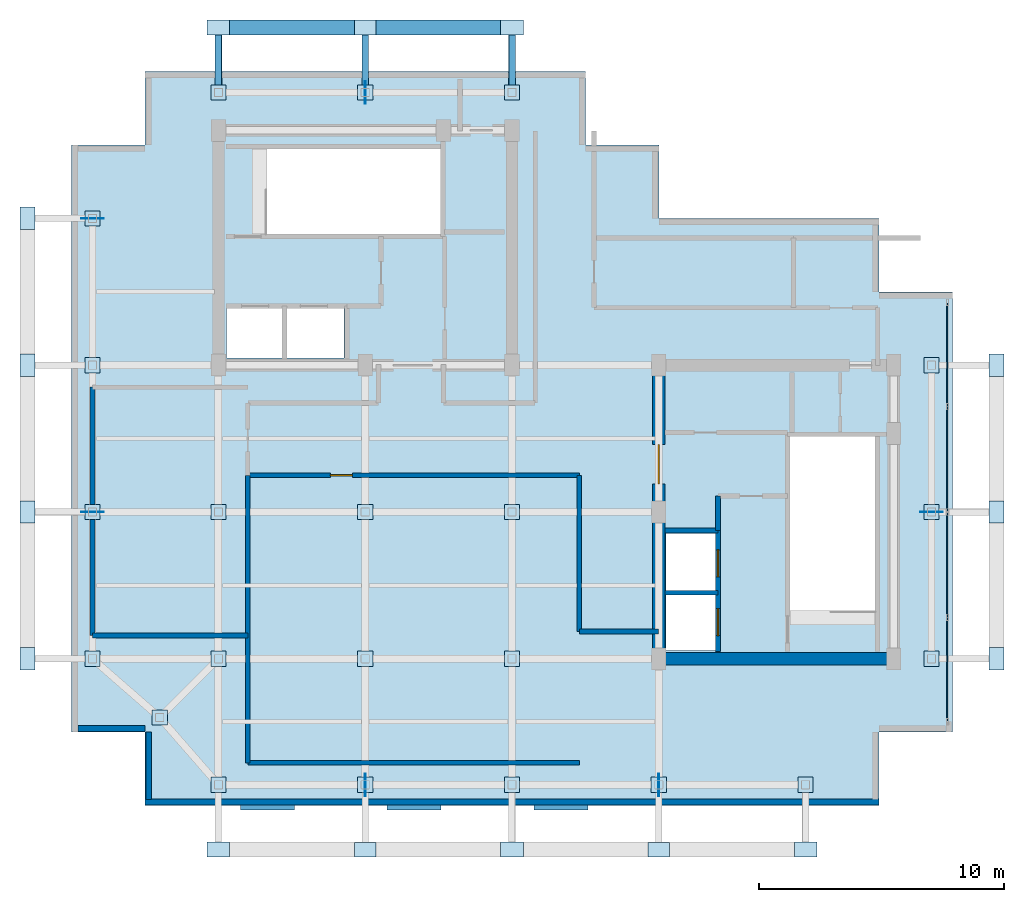
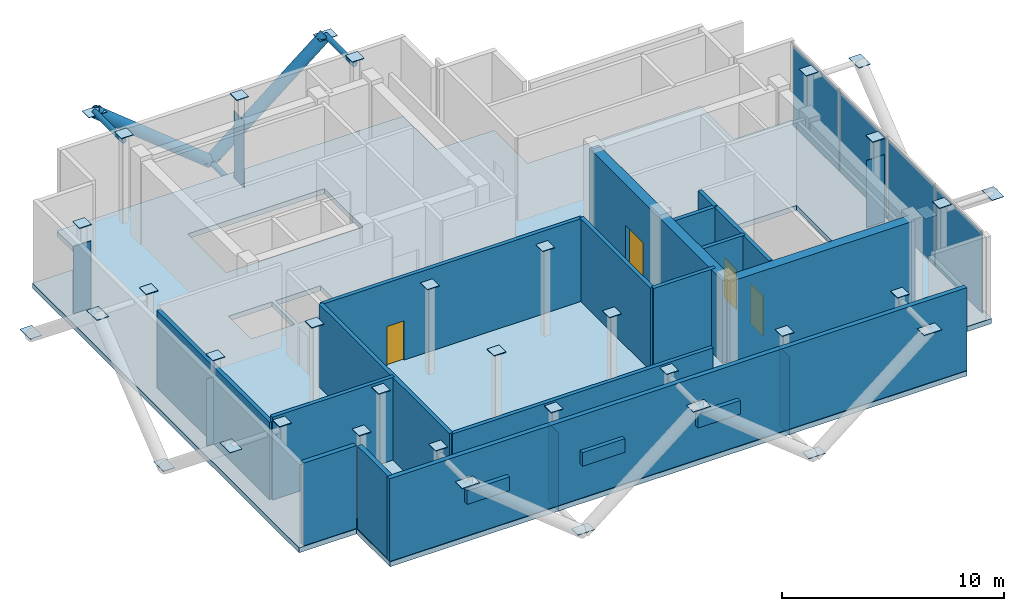
# One storey, part 3 of 6: 50 plates, 16 walls, 5 members, 4 doors, 1 slab, 4 openings, 1 element without a shape of its own.
"""IFC4 building model written with IfcOpenShell, lengths in metres."""

from ifc_helpers import new_model, si_unit, direction, frame, frame_2d, origin, origin_2d, place, context, subcontext, project, spatial, polyline, rectangle, hollow_circle, outline, extrude, material, layer, layer_set, material_profile, profile_set, type_object, element, fill, aggregate, save


model = new_model("IFC4")

# Units and contexts
model_context = context("Model", 3, precision=1e-05, world=origin(), true_north=direction((0.0, 1.0)))
body_context = subcontext(model_context, "Body", "Model", "MODEL_VIEW")
ifc_project = project(units=[si_unit("LENGTHUNIT", "METRE"), si_unit("AREAUNIT", "SQUARE_METRE"), si_unit("VOLUMEUNIT", "CUBIC_METRE"), si_unit("PLANEANGLEUNIT", "RADIAN"), si_unit("MASSUNIT", "GRAM", prefix="KILO"), si_unit("THERMODYNAMICTEMPERATUREUNIT", "KELVIN"), si_unit("POWERUNIT", "WATT")], contexts=[model_context])

# Site, building, storey
site_placement = place(None, origin())
site = spatial("IfcSite", under=ifc_project, at=site_placement, CompositionType="ELEMENT")
building_placement = place(site_placement, origin())
building = spatial("IfcBuilding", under=site, at=building_placement, Name="Svarakhadi Broadcast Tower", CompositionType="ELEMENT")
storey_placement = place(building_placement, frame((0.0, 0.0, 305.699951171875)))
storey = spatial("IfcBuildingStorey", under=building, at=storey_placement, Name="L77", CompositionType="ELEMENT", Elevation=305.699951171875)

# Members
ifc_material_1 = material(Name="Steel S460ML (IS 2062 E450BR)", Category="steel")
ifc_material_profile_1 = material_profile(ifc_material_1, hollow_circle(Radius=0.304931640625, WallThickness=0.030029296875, at=origin_2d()), Name="CHS 610x30")
ifc_profile_set_1 = profile_set([ifc_material_profile_1], Name="Steel S460ML (IS 2062 E450BR)")
member_type_1 = type_object("IfcMemberType", Name="Exo_Brace_CHS610", PredefinedType="BRACE", material=ifc_profile_set_1)
for number, where, z_axis, x_axis, name in (
    (1, (12.0, 31.800048828125, -0.411376953125), (-0.779285489212, 0.0, 0.6266690724), (0.0, -1.0, 0.0), "L77 Exposed Bronze Exoskeleton Diagonal N10"),
    (2, (12.0, 31.800048828125, -0.411376953125), (0.779285489212, 0.0, 0.6266690724), (0.0, 1.0, 0.0), "L77 Exposed Bronze Exoskeleton Diagonal N11"),
):
    element("IfcMember", number, at=place(storey_placement, frame(where, z_axis=z_axis, x_axis=x_axis)), inside=storey, type_object=member_type_1, Name=name, PredefinedType="BRACE", context=body_context, shape_type="SweptSolid", body=[
        extrude(hollow_circle(Radius=0.304931640625, WallThickness=0.030029296875, at=origin_2d()), origin(), (0.0, 0.0, 1.0), 7.699462890625),
    ])
ifc_material_profile_2 = material_profile(ifc_material_1, hollow_circle(Radius=0.136474609375, WallThickness=0.012451171875, at=origin_2d()), Name="CHS 273x12.5")
ifc_profile_set_2 = profile_set([ifc_material_profile_2], Name="Steel S460ML (IS 2062 E450BR)")
member_type_2 = type_object("IfcMemberType", Name="Exo_Radial_Strut_Z3", PredefinedType="STRUT", material=ifc_profile_set_2)
for number, where, z_axis, x_axis, name in (
    (3, (12.0, 31.800048828125, -0.411376953125), (0.0, -1.0, 0.0), (1.0, 0.0, 0.0), "L77 Exoskeleton Radial Tie Strut N06"),
    (4, (6.0, 31.800048828125, 4.41357421875), (0.0, -1.0, 0.0), (1.0, 0.0, 0.0), "L77 Exoskeleton Setback Top Radial Tie N00"),
    (5, (18.0, 31.800048828125, 4.41357421875), (0.0, -1.0, 0.0), (1.0, 0.0, 0.0), "L77 Exoskeleton Setback Top Radial Tie N02"),
):
    element("IfcMember", number, at=place(storey_placement, frame(where, z_axis=z_axis, x_axis=x_axis)), inside=storey, type_object=member_type_2, Name=name, PredefinedType="STRUT", context=body_context, shape_type="SweptSolid", body=[
        extrude(hollow_circle(Radius=0.136474609375, WallThickness=0.012451171875, at=origin_2d()), origin(), (0.0, 0.0, 1.0), 2.650146484375),
    ])

# Curtain wall, plates
ifc_material_2 = material(Name="Anodised Bronze Aluminium AA 6063-T6", Category="aluminium")
ifc_layer_1 = layer(ifc_material_2, 0.260009765625)
ifc_layer_set_1 = layer_set([ifc_layer_1], Name="Anodised Bronze Aluminium AA 6063-T6")
curtain_wall_type = type_object("IfcCurtainWallType", Name="CW_Sys_07", PredefinedType="NOTDEFINED", material=ifc_layer_set_1)
curtain_wall_placement = place(storey_placement, origin())
curtain_wall = element("IfcCurtainWall", 6, at=curtain_wall_placement, inside=storey, type_object=curtain_wall_type, Name="L77 East Plant Daylighting Curtain Wall CW-07", PredefinedType="NOTDEFINED")
ifc_material_3 = material(Name="Triple Laminated Solar-Control Crown Glass 42 mm", Category="glass")
ifc_layer_2 = layer(ifc_material_3, 0.0419921875)
ifc_layer_set_2 = layer_set([ifc_layer_2], Name="Triple Laminated Solar-Control Crown Glass 42 mm")
plate_type_1 = type_object("IfcPlateType", Name="CW_Sys_07_Pnl", PredefinedType="CURTAIN_PANEL", material=ifc_layer_set_2)
plate_1_placement = place(storey_placement, frame((35.800048828125, 18.43505859375, 0.090087890625), z_axis=(0.0, 0.0, 1.0), x_axis=(0.0, -1.0, 0.0)))
plate_1 = element("IfcPlate", 7, at=plate_1_placement, type_object=plate_type_1, Name="CW-07 panel 1.1", PredefinedType="CURTAIN_PANEL", context=body_context, shape_type="SweptSolid", body=[
    extrude(rectangle(XDim=4.169921875, YDim=0.0419921875, at=origin_2d()), origin(), (0.0, 0.0, 1.0), 4.3701171875),
])
plate_2_placement = place(storey_placement, frame((35.800048828125, 14.152587890625, 0.090087890625), z_axis=(0.0, 0.0, 1.0), x_axis=(0.0, -1.0, 0.0)))
plate_2 = element("IfcPlate", 8, at=plate_2_placement, type_object=plate_type_1, Name="CW-07 panel 2.1", PredefinedType="CURTAIN_PANEL", context=body_context, shape_type="SweptSolid", body=[
    extrude(rectangle(XDim=4.215087890625, YDim=0.0419921875, at=origin_2d()), origin(), (0.0, 0.0, 1.0), 4.3701171875),
])
plate_3_placement = place(storey_placement, frame((35.800048828125, 9.847412109375, 0.090087890625), z_axis=(0.0, 0.0, 1.0), x_axis=(0.0, -1.0, 0.0)))
plate_3 = element("IfcPlate", 9, at=plate_3_placement, type_object=plate_type_1, Name="CW-07 panel 3.1", PredefinedType="CURTAIN_PANEL", context=body_context, shape_type="SweptSolid", body=[
    extrude(rectangle(XDim=4.215087890625, YDim=0.0419921875, at=origin_2d()), origin(), (0.0, 0.0, 1.0), 4.3701171875),
])
plate_4_placement = place(storey_placement, frame((35.800048828125, 5.56494140625, 0.090087890625), z_axis=(0.0, 0.0, 1.0), x_axis=(0.0, -1.0, 0.0)))
plate_4 = element("IfcPlate", 10, at=plate_4_placement, type_object=plate_type_1, Name="CW-07 panel 4.1", PredefinedType="CURTAIN_PANEL", context=body_context, shape_type="SweptSolid", body=[
    extrude(rectangle(XDim=4.169921875, YDim=0.0419921875, at=origin_2d()), origin(), (0.0, 0.0, 1.0), 4.3701171875),
])
aggregate(curtain_wall, [plate_1, plate_2, plate_3, plate_4])

# Plates
ifc_layer_3 = layer(ifc_material_1, 0.031982421875)
ifc_layer_set_3 = layer_set([ifc_layer_3], Name="Steel S460ML (IS 2062 E450BR)")
plate_type_2 = type_object("IfcPlateType", Name="Cap_Plate_CP01", PredefinedType="USERDEFINED", material=ifc_layer_set_3)
for number, where, z_axis, x_axis, name in (
    (11, (3.60009765625, 3.60009765625, 4.794921875), (0.0, 0.0, 1.0), (1.0, 0.0, 0.0), "L77 Hollow Column Top Cap Plate G01"),
    (12, (0.85009765625, 6.0, 4.794921875), (0.0, 0.0, 1.0), (1.0, 0.0, 0.0), "L77 Hollow Column Top Cap Plate G03"),
    (13, (0.85009765625, 12.0, 4.794921875), (0.0, 0.0, 1.0), (1.0, 0.0, 0.0), "L77 Hollow Column Top Cap Plate G04"),
    (14, (0.85009765625, 18.0, 4.794921875), (0.0, 0.0, 1.0), (1.0, 0.0, 0.0), "L77 Hollow Column Top Cap Plate G05"),
    (15, (0.85009765625, 24.0, 4.794921875), (0.0, 0.0, 1.0), (1.0, 0.0, 0.0), "L77 Hollow Column Top Cap Plate G06"),
    (16, (6.0, 0.85009765625, 4.794921875), (0.0, 0.0, 1.0), (1.0, 0.0, 0.0), "L77 Hollow Column Top Cap Plate G11"),
    (17, (6.0, 6.0, 4.794921875), (0.0, 0.0, 1.0), (1.0, 0.0, 0.0), "L77 Hollow Column Top Cap Plate G12"),
    (18, (6.0, 12.0, 4.794921875), (0.0, 0.0, 1.0), (1.0, 0.0, 0.0), "L77 Hollow Column Top Cap Plate G13"),
    (19, (6.0, 29.14990234375, 4.794921875), (0.0, 0.0, 1.0), (1.0, 0.0, 0.0), "L77 Hollow Column Top Cap Plate G14"),
    (20, (12.0, 0.85009765625, 4.794921875), (0.0, 0.0, 1.0), (1.0, 0.0, 0.0), "L77 Hollow Column Top Cap Plate G18"),
    (21, (12.0, 6.0, 4.794921875), (0.0, 0.0, 1.0), (1.0, 0.0, 0.0), "L77 Hollow Column Top Cap Plate G19"),
    (22, (12.0, 12.0, 4.794921875), (0.0, 0.0, 1.0), (1.0, 0.0, 0.0), "L77 Hollow Column Top Cap Plate G20"),
    (23, (12.0, 29.14990234375, 4.794921875), (0.0, 0.0, 1.0), (1.0, 0.0, 0.0), "L77 Hollow Column Top Cap Plate G21"),
    (24, (18.0, 0.85009765625, 4.794921875), (0.0, 0.0, 1.0), (1.0, 0.0, 0.0), "L77 Hollow Column Top Cap Plate G25"),
    (25, (18.0, 6.0, 4.794921875), (0.0, 0.0, 1.0), (1.0, 0.0, 0.0), "L77 Hollow Column Top Cap Plate G26"),
    (26, (18.0, 12.0, 4.794921875), (0.0, 0.0, 1.0), (1.0, 0.0, 0.0), "L77 Hollow Column Top Cap Plate G27"),
    (27, (18.0, 29.14990234375, 4.794921875), (0.0, 0.0, 1.0), (1.0, 0.0, 0.0), "L77 Hollow Column Top Cap Plate G28"),
    (28, (24.0, 0.85009765625, 4.794921875), (0.0, 0.0, 1.0), (1.0, 0.0, 0.0), "L77 Hollow Column Top Cap Plate G32"),
    (29, (30.0, 0.85009765625, 4.794921875), (0.0, 0.0, 1.0), (1.0, 0.0, 0.0), "L77 Hollow Column Top Cap Plate G36"),
    (30, (35.14990234375, 6.0, 4.794921875), (0.0, 0.0, 1.0), (1.0, 0.0, 0.0), "L77 Hollow Column Top Cap Plate G39"),
    (31, (35.14990234375, 12.0, 4.794921875), (0.0, 0.0, 1.0), (1.0, 0.0, 0.0), "L77 Hollow Column Top Cap Plate G40"),
    (32, (35.14990234375, 18.0, 4.794921875), (0.0, 0.0, 1.0), (1.0, 0.0, 0.0), "L77 Hollow Column Top Cap Plate G41"),
):
    element("IfcPlate", number, at=place(storey_placement, frame(where, z_axis=z_axis, x_axis=x_axis)), inside=storey, type_object=plate_type_2, Name=name, ObjectType="FLANGE_PLATE", PredefinedType="USERDEFINED", context=body_context, shape_type="SweptSolid", body=[
        extrude(rectangle(XDim=0.6201171875, YDim=0.6201171875, at=origin_2d()), origin(), (0.0, 0.0, 1.0), 0.0400390625),
    ])
ifc_layer_4 = layer(ifc_material_2, 0.75)
ifc_layer_set_4 = layer_set([ifc_layer_4], Name="Anodised Bronze Aluminium AA 6063-T6")
plate_type_3 = type_object("IfcPlateType", Name="Louvre_Bronze_LV02", PredefinedType="USERDEFINED", material=ifc_layer_set_4)
for number, where, z_axis, x_axis, name in (
    (33, (8.0, -0.080078125, 1.900146484375), (0.0, 0.0, 1.0), (1.0, 0.0, 0.0), "L77 Acoustic Monsoon Intake Louvre LV-02-1"),
    (34, (14.0, -0.080078125, 1.900146484375), (0.0, 0.0, 1.0), (1.0, 0.0, 0.0), "L77 Acoustic Monsoon Intake Louvre LV-02-2"),
    (35, (20.0, -0.080078125, 1.900146484375), (0.0, 0.0, 1.0), (1.0, 0.0, 0.0), "L77 Acoustic Monsoon Intake Louvre LV-02-3"),
):
    element("IfcPlate", number, at=place(storey_placement, frame(where, z_axis=z_axis, x_axis=x_axis)), inside=storey, type_object=plate_type_3, Name=name, ObjectType="LOUVRE", PredefinedType="USERDEFINED", context=body_context, shape_type="SweptSolid", body=[
        extrude(rectangle(XDim=2.199951171875, YDim=0.219970703125, at=origin_2d()), origin(), (0.0, 0.0, 1.0), 0.75),
    ])
ifc_layer_5 = layer(ifc_material_1, 0.02490234375)
ifc_layer_set_5 = layer_set([ifc_layer_5], Name="Steel S460ML (IS 2062 E450BR)")
plate_type_4 = type_object("IfcPlateType", Name="Node_Gusset_N05", PredefinedType="SHEET", material=ifc_layer_set_5)
for number, where, z_axis, x_axis, name in (
    (36, (12.0, -1.800048828125, -0.27490234375), (0.0, 0.0, 1.0), (1.0, 0.0, 0.0), "L77 Exoskeleton Gusset Node Plate S01"),
    (37, (24.0, -1.800048828125, -0.27490234375), (0.0, 0.0, 1.0), (1.0, 0.0, 0.0), "L77 Exoskeleton Gusset Node Plate S02"),
    (38, (-1.800048828125, 12.0, -0.27490234375), (0.0, 0.0, 1.0), (0.0, 1.0, 0.0), "L77 Exoskeleton Gusset Node Plate W03"),
    (39, (37.800048828125, 12.0, -0.27490234375), (0.0, 0.0, 1.0), (0.0, 1.0, 0.0), "L77 Exoskeleton Gusset Node Plate E05"),
    (40, (12.0, 31.800048828125, -0.27490234375), (0.0, 0.0, 1.0), (1.0, 0.0, 0.0), "L77 Exoskeleton Gusset Node Plate N06"),
):
    element("IfcPlate", number, at=place(storey_placement, frame(where, z_axis=z_axis, x_axis=x_axis)), inside=storey, type_object=plate_type_4, Name=name, PredefinedType="SHEET", context=body_context, shape_type="SweptSolid", body=[
        extrude(rectangle(XDim=0.8798828125, YDim=0.60009765625, at=origin_2d()), origin(), (0.0, 0.0, 1.0), 0.02490234375),
    ])
ifc_layer_6 = layer(ifc_material_1, 0.02587890625)
ifc_layer_set_6 = layer_set([ifc_layer_6], Name="Steel S460ML (IS 2062 E450BR)")
plate_type_5 = type_object("IfcPlateType", Name="Node_Gusset_N07", PredefinedType="SHEET", material=ifc_layer_set_6)
plate_5_placement = place(storey_placement, frame((-1.800048828125, 24.0, -0.27490234375), z_axis=(0.0, 0.0, 1.0), x_axis=(0.0, 1.0, 0.0)))
element("IfcPlate", 41, at=plate_5_placement, inside=storey, type_object=plate_type_5, Name="L77 Exoskeleton Gusset Node Plate W04", PredefinedType="SHEET", context=body_context, shape_type="SweptSolid", body=[
    extrude(rectangle(XDim=0.919921875, YDim=0.6201171875, at=origin_2d()), origin(), (0.0, 0.0, 1.0), 0.02587890625),
])
for number, where, z_axis, x_axis, name in (
    (42, (12.0, 0.85009765625, -0.611328125), (0.0, 0.0, 1.0), (0.0, 1.0, 0.0), "L77 Brace End Connection Gusset Plate N-07-E0590"),
    (43, (24.0, 0.85009765625, -0.611328125), (0.0, 0.0, 1.0), (0.0, 1.0, 0.0), "L77 Brace End Connection Gusset Plate N-07-E0591"),
):
    element("IfcPlate", number, at=place(storey_placement, frame(where, z_axis=z_axis, x_axis=x_axis)), inside=storey, type_object=plate_type_5, Name=name, PredefinedType="SHEET", context=body_context, shape_type="SweptSolid", body=[
        extrude(rectangle(XDim=0.919921875, YDim=0.02587890625, at=origin_2d()), origin(), (0.0, 0.0, 1.0), 4.300048828125),
    ])
for number, where, z_axis, x_axis, name in (
    (44, (6.0, -1.800048828125, 4.400634765625), (0.0, 0.0, 1.0), (1.0, 0.0, 0.0), "L77 Brace End Connection Gusset Plate N-07-E0592"),
    (45, (18.0, -1.800048828125, 4.400634765625), (0.0, 0.0, 1.0), (1.0, 0.0, 0.0), "L77 Brace End Connection Gusset Plate N-07-E0593"),
    (46, (30.0, -1.800048828125, 4.400634765625), (0.0, 0.0, 1.0), (1.0, 0.0, 0.0), "L77 Brace End Connection Gusset Plate N-07-E0594"),
):
    element("IfcPlate", number, at=place(storey_placement, frame(where, z_axis=z_axis, x_axis=x_axis)), inside=storey, type_object=plate_type_5, Name=name, PredefinedType="SHEET", context=body_context, shape_type="SweptSolid", body=[
        extrude(rectangle(XDim=0.919921875, YDim=0.6201171875, at=origin_2d()), origin(), (0.0, 0.0, 1.0), 0.02587890625),
    ])
for number, where, z_axis, x_axis, name in (
    (47, (0.85009765625, 12.0, -0.611328125), (0.0, 0.0, 1.0), (1.0, 0.0, 0.0), "L77 Brace End Connection Gusset Plate N-07-E0595"),
    (48, (0.85009765625, 24.0, -0.611328125), (0.0, 0.0, 1.0), (1.0, 0.0, 0.0), "L77 Brace End Connection Gusset Plate N-07-E0596"),
):
    element("IfcPlate", number, at=place(storey_placement, frame(where, z_axis=z_axis, x_axis=x_axis)), inside=storey, type_object=plate_type_5, Name=name, PredefinedType="SHEET", context=body_context, shape_type="SweptSolid", body=[
        extrude(rectangle(XDim=0.919921875, YDim=0.02587890625, at=origin_2d()), origin(), (0.0, 0.0, 1.0), 4.300048828125),
    ])
for number, where, z_axis, x_axis, name in (
    (49, (-1.800048828125, 6.0, 4.400634765625), (0.0, 0.0, 1.0), (0.0, 1.0, 0.0), "L77 Brace End Connection Gusset Plate N-07-E0597"),
    (50, (-1.800048828125, 18.0, 4.400634765625), (0.0, 0.0, 1.0), (0.0, 1.0, 0.0), "L77 Brace End Connection Gusset Plate N-07-E0598"),
):
    element("IfcPlate", number, at=place(storey_placement, frame(where, z_axis=z_axis, x_axis=x_axis)), inside=storey, type_object=plate_type_5, Name=name, PredefinedType="SHEET", context=body_context, shape_type="SweptSolid", body=[
        extrude(rectangle(XDim=0.919921875, YDim=0.6201171875, at=origin_2d()), origin(), (0.0, 0.0, 1.0), 0.02587890625),
    ])
plate_6_placement = place(storey_placement, frame((35.14990234375, 12.0, -0.611328125), z_axis=(0.0, 0.0, 1.0), x_axis=(1.0, 0.0, 0.0)))
element("IfcPlate", 51, at=plate_6_placement, inside=storey, type_object=plate_type_5, Name="L77 Brace End Connection Gusset Plate N-07-E0599", PredefinedType="SHEET", context=body_context, shape_type="SweptSolid", body=[
    extrude(rectangle(XDim=0.919921875, YDim=0.02587890625, at=origin_2d()), origin(), (0.0, 0.0, 1.0), 4.300048828125),
])
for number, where, z_axis, x_axis, name in (
    (52, (37.800048828125, 6.0, 4.400634765625), (0.0, 0.0, 1.0), (0.0, 1.0, 0.0), "L77 Brace End Connection Gusset Plate N-07-E0600"),
    (53, (37.800048828125, 18.0, 4.400634765625), (0.0, 0.0, 1.0), (0.0, 1.0, 0.0), "L77 Brace End Connection Gusset Plate N-07-E0601"),
):
    element("IfcPlate", number, at=place(storey_placement, frame(where, z_axis=z_axis, x_axis=x_axis)), inside=storey, type_object=plate_type_5, Name=name, PredefinedType="SHEET", context=body_context, shape_type="SweptSolid", body=[
        extrude(rectangle(XDim=0.919921875, YDim=0.6201171875, at=origin_2d()), origin(), (0.0, 0.0, 1.0), 0.02587890625),
    ])
plate_7_placement = place(storey_placement, frame((12.0, 29.14990234375, -0.611328125), z_axis=(0.0, 0.0, 1.0), x_axis=(0.0, 1.0, 0.0)))
element("IfcPlate", 54, at=plate_7_placement, inside=storey, type_object=plate_type_5, Name="L77 Brace End Connection Gusset Plate N-07-E0602", PredefinedType="SHEET", context=body_context, shape_type="SweptSolid", body=[
    extrude(rectangle(XDim=0.919921875, YDim=0.02587890625, at=origin_2d()), origin(), (0.0, 0.0, 1.0), 4.300048828125),
])
for number, where, z_axis, x_axis, name in (
    (55, (6.0, 31.800048828125, 4.400634765625), (0.0, 0.0, 1.0), (1.0, 0.0, 0.0), "L77 Brace End Connection Gusset Plate N-07-E0603"),
    (56, (18.0, 31.800048828125, 4.400634765625), (0.0, 0.0, 1.0), (1.0, 0.0, 0.0), "L77 Brace End Connection Gusset Plate N-07-E0604"),
):
    element("IfcPlate", number, at=place(storey_placement, frame(where, z_axis=z_axis, x_axis=x_axis)), inside=storey, type_object=plate_type_5, Name=name, PredefinedType="SHEET", context=body_context, shape_type="SweptSolid", body=[
        extrude(rectangle(XDim=0.919921875, YDim=0.6201171875, at=origin_2d()), origin(), (0.0, 0.0, 1.0), 0.02587890625),
    ])

# Slab
ifc_material_4 = material(Name="Concrete C40/50 (IS 456 M50)", Category="concrete")
ifc_layer_7 = layer(ifc_material_4, 0.27490234375)
ifc_layer_set_7 = layer_set([ifc_layer_7], Name="Concrete C40/50 (IS 456 M50)")
slab_type = type_object("IfcSlabType", Name="Slab_Floor_275", PredefinedType="FLOOR", material=ifc_layer_set_7)
slab_placement = place(storey_placement, frame((0.0, 0.0, -0.27490234375)))
element("IfcSlab", 57, at=slab_placement, inside=storey, type_object=slab_type, Name="L77 Structural Floor Slab", PredefinedType="FLOOR", context=body_context, shape_type="SweptSolid", body=[
    extrude(outline(polyline([(3.0, 0.0), (33.0, 0.0), (33.0, 3.0), (36.0, 3.0), (36.0, 21.0), (33.0, 21.0), (33.0, 24.0), (24.0, 24.0), (24.0, 27.0), (21.0, 27.0), (21.0, 30.0), (3.0, 30.0), (3.0, 27.0), (0.0, 27.0), (0.0, 3.0), (3.0, 3.0), (3.0, 0.0)]), holes=[polyline([(7.97998046875, 23.360107421875), (15.080078125, 23.360107421875), (15.080078125, 26.840087890625), (7.97998046875, 26.840087890625), (7.97998046875, 23.360107421875)]), polyline([(32.840087890625, 7.97998046875), (32.840087890625, 15.080078125), (29.360107421875, 15.080078125), (29.360107421875, 7.97998046875), (32.840087890625, 7.97998046875)]), polyline([(6.340087890625, 18.2900390625), (8.610107421875, 18.2900390625), (8.610107421875, 20.330078125), (6.340087890625, 20.330078125), (6.340087890625, 18.2900390625)]), polyline([(8.7900390625, 18.2900390625), (11.1298828125, 18.2900390625), (11.1298828125, 20.330078125), (8.7900390625, 20.330078125), (8.7900390625, 18.2900390625)]), polyline([(24.2900390625, 6.340087890625), (26.330078125, 6.340087890625), (26.330078125, 8.610107421875), (24.2900390625, 8.610107421875), (24.2900390625, 6.340087890625)]), polyline([(24.2900390625, 8.7900390625), (26.330078125, 8.7900390625), (26.330078125, 11.1298828125), (24.2900390625, 11.1298828125), (24.2900390625, 8.7900390625)])]), origin(), (0.0, 0.0, 1.0), 0.27490234375),
])

# Walls
ifc_layer_8 = layer(ifc_material_4, 0.239990234375)
ifc_layer_set_8 = layer_set([ifc_layer_8], Name="Concrete C40/50 (IS 456 M50)")
wall_type_1 = type_object("IfcWallType", Name="Wall_Ext_240", PredefinedType="SOLIDWALL", material=ifc_layer_set_8)
wall_1_placement = place(storey_placement, frame((33.0, 0.14990234375, 0.0), z_axis=(0.0, 0.0, 1.0), x_axis=(-1.0, 0.0, 0.0)))
element("IfcWall", 58, at=wall_1_placement, inside=storey, type_object=wall_type_1, Name="L77 South Mechanical Acoustic Louvred Plant Wall", PredefinedType="SOLIDWALL", context=body_context, shape_type="SweptSolid", body=[
    extrude(rectangle(XDim=30.0, YDim=0.239990234375, at=frame_2d((15.0, 0.0))), origin(), (0.0, 0.0, 1.0), 4.550048828125),
])
for number, where, z_axis, x_axis, name in (
    (59, (3.0, 3.14990234375, 0.0), (0.0, 0.0, 1.0), (-1.0, 0.0, 0.0), "L77 Perimeter Bronze Spandrel Closure Wall 01"),
    (60, (3.14990234375, 0.2548828125, 0.0), (0.0, 0.0, 1.0), (0.0, 1.0, 0.0), "L77 Perimeter Bronze Spandrel Closure Wall 13"),
):
    element("IfcWall", number, at=place(storey_placement, frame(where, z_axis=z_axis, x_axis=x_axis)), inside=storey, type_object=wall_type_1, Name=name, PredefinedType="SOLIDWALL", context=body_context, shape_type="SweptSolid", body=[
        extrude(rectangle(XDim=2.7451171875, YDim=0.239990234375, at=frame_2d((1.37255859375, 0.0))), origin(), (0.0, 0.0, 1.0), 4.550048828125),
    ])
ifc_layer_9 = layer(ifc_material_4, 0.199951171875)
ifc_layer_set_9 = layer_set([ifc_layer_9], Name="Concrete C40/50 (IS 456 M50)")
wall_type_2 = type_object("IfcWallType", Name="Wall_Fire_200", PredefinedType="SOLIDWALL", material=ifc_layer_set_9)
wall_2_placement = place(storey_placement, frame((23.97998046875, 7.1201171875, 0.0), z_axis=(0.0, 0.0, 1.0), x_axis=(-1.0, 0.0, 0.0)))
element("IfcWall", 61, at=wall_2_placement, inside=storey, type_object=wall_type_2, Name="L77 Plant Service Corridor Wall", PredefinedType="SOLIDWALL", context=body_context, shape_type="SweptSolid", body=[
    extrude(rectangle(XDim=3.22998046875, YDim=0.199951171875, at=frame_2d((1.614990234375, 0.0))), origin(), (0.0, 0.0, 1.0), 4.550048828125),
])
wall_3_placement = place(storey_placement, frame((20.75, 7.1201171875, 0.0), z_axis=(0.0, 0.0, 1.0), x_axis=(0.0, 1.0, 0.0)))
element("IfcWall", 62, at=wall_3_placement, inside=storey, type_object=wall_type_2, Name="L77 Plant Service Corridor Wall", PredefinedType="SOLIDWALL", context=body_context, shape_type="SweptSolid", body=[
    extrude(rectangle(XDim=6.3798828125, YDim=0.199951171875, at=frame_2d((3.18994140625, 0.0))), origin(), (0.0, 0.0, 1.0), 4.550048828125),
])

# Wall, opening, door
wall_4_placement = place(storey_placement, frame((20.75, 13.5, 0.0), z_axis=(0.0, 0.0, 1.0), x_axis=(-1.0, 0.0, 0.0)))
wall_4 = element("IfcWall", 63, at=wall_4_placement, inside=storey, type_object=wall_type_2, Name="L77 Plant Service Corridor Wall", PredefinedType="SOLIDWALL", context=body_context, shape_type="SweptSolid", body=[
    extrude(rectangle(XDim=13.550048828125, YDim=0.199951171875, at=frame_2d((6.77490234375, 0.0))), origin(), (0.0, 0.0, 1.0), 4.550048828125),
])
opening_1_placement = place(wall_4_placement, frame((9.27490234375, 0.0, 0.0)))
opening_1 = element("IfcOpeningElement", 64, at=opening_1_placement, cuts=wall_4, Name="Opening D-03", PredefinedType="OPENING", context=body_context, shape_type="SweptSolid", body=[
    extrude(rectangle(XDim=0.89990234375, YDim=2.14990234375, at=frame_2d((0.449951171875, 1.074951171875))), frame((0.0, 0.10986328125, 0.0), z_axis=(0.0, -1.0, 0.0), x_axis=(1.0, 0.0, 0.0)), (0.0, 0.0, 1.0), 0.219970703125),
])
ifc_material_5 = material(Name="Galvanised Powder-Coated Fire-Rated Steel Leaf", Category="steel")
door_type_1 = type_object("IfcDoorType", Name="Door_Fire_D03", OperationType="SINGLE_SWING_LEFT", PredefinedType="DOOR", material=ifc_material_5)
door_1_placement = place(opening_1_placement, origin())
door_1 = element("IfcDoor", 65, at=door_1_placement, inside=storey, type_object=door_type_1, Name="L77 Crown Broadcast Telemetry Plant Room Door", OperationType="SINGLE_SWING_LEFT", OverallHeight=2.14990234375, OverallWidth=0.89990234375, PredefinedType="DOOR", context=body_context, shape_type="SweptSolid", body=[
    extrude(rectangle(XDim=0.89990234375, YDim=2.14990234375, at=frame_2d((0.449951171875, 1.074951171875))), frame((0.0, 0.02490234375, 0.0), z_axis=(0.0, -1.0, 0.0), x_axis=(1.0, 0.0, 0.0)), (0.0, 0.0, 1.0), 0.050048828125),
])
fill(opening_1, door_1)

# Walls
wall_5_placement = place(storey_placement, frame((0.85009765625, 6.949951171875, 0.0), z_axis=(0.0, 0.0, 1.0), x_axis=(1.0, 0.0, 0.0)))
element("IfcWall", 66, at=wall_5_placement, inside=storey, type_object=wall_type_2, Name="L77 Upper Zone Transformer Plant Room Wall", PredefinedType="SOLIDWALL", context=body_context, shape_type="SweptSolid", body=[
    extrude(rectangle(XDim=6.349853515625, YDim=0.199951171875, at=frame_2d((3.1748046875, 0.0))), origin(), (0.0, 0.0, 1.0), 4.550048828125),
])
wall_6_placement = place(storey_placement, frame((0.85009765625, 6.949951171875, 0.0), z_axis=(0.0, 0.0, 1.0), x_axis=(0.0, 1.0, 0.0)))
element("IfcWall", 67, at=wall_6_placement, inside=storey, type_object=wall_type_2, Name="L77 Upper Zone Transformer Plant Room Wall", PredefinedType="SOLIDWALL", context=body_context, shape_type="SweptSolid", body=[
    extrude(rectangle(XDim=10.150146484375, YDim=0.199951171875, at=frame_2d((5.0751953125, 0.0))), origin(), (0.0, 0.0, 1.0), 4.241943359375),
])
wall_7_placement = place(storey_placement, frame((7.199951171875, 1.75, 0.0), z_axis=(0.0, 0.0, 1.0), x_axis=(1.0, 0.0, 0.0)))
element("IfcWall", 68, at=wall_7_placement, inside=storey, type_object=wall_type_2, Name="L77 Crown Broadcast Telemetry Plant Room Wall", PredefinedType="SOLIDWALL", context=body_context, shape_type="SweptSolid", body=[
    extrude(rectangle(XDim=13.550048828125, YDim=0.199951171875, at=frame_2d((6.77490234375, 0.0))), origin(), (0.0, 0.0, 1.0), 4.550048828125),
])
wall_8_placement = place(storey_placement, frame((7.199951171875, 1.75, 0.0), z_axis=(0.0, 0.0, 1.0), x_axis=(0.0, 1.0, 0.0)))
element("IfcWall", 69, at=wall_8_placement, inside=storey, type_object=wall_type_2, Name="L77 Crown Broadcast Telemetry Plant Room Wall", PredefinedType="SOLIDWALL", context=body_context, shape_type="SweptSolid", body=[
    extrude(rectangle(XDim=11.75, YDim=0.199951171875, at=frame_2d((5.875, 0.0))), origin(), (0.0, 0.0, 1.0), 4.550048828125),
])

# Wall, openings, doors
ifc_material_6 = material(Name="Concrete C50/60 (IS 456 M60)", Category="concrete")
ifc_layer_10 = layer(ifc_material_6, 0.199951171875)
ifc_layer_set_10 = layer_set([ifc_layer_10], Name="Concrete C50/60 (IS 456 M60)")
wall_type_3 = type_object("IfcWallType", Name="Wall_Shear_200", PredefinedType="SHEAR", material=ifc_layer_set_10)
wall_9_placement = place(storey_placement, frame((26.419921875, 6.300048828125, 0.0), z_axis=(0.0, 0.0, 1.0), x_axis=(0.0, 1.0, 0.0)))
wall_9 = element("IfcWall", 70, at=wall_9_placement, inside=storey, type_object=wall_type_3, Name="L77 Firefighting Lift LF-03/04 Shaft Wall", PredefinedType="SHEAR", context=body_context, shape_type="SweptSolid", body=[
    extrude(rectangle(XDim=4.949951171875, YDim=0.199951171875, at=frame_2d((2.47509765625, 0.0))), origin(), (0.0, 0.0, 1.0), 4.550048828125),
])
opening_2_placement = place(wall_9_placement, frame((0.64990234375, 0.0, 0.0)))
opening_2 = element("IfcOpeningElement", 71, at=opening_2_placement, cuts=wall_9, Name="Opening LD-01", PredefinedType="OPENING", context=body_context, shape_type="SweptSolid", body=[
    extrude(rectangle(XDim=1.10009765625, YDim=2.199951171875, at=frame_2d((0.550048828125, 1.10009765625))), frame((0.0, 0.10986328125, 0.0), z_axis=(0.0, -1.0, 0.0), x_axis=(1.0, 0.0, 0.0)), (0.0, 0.0, 1.0), 0.219970703125),
])
opening_3_placement = place(wall_9_placement, frame((3.050048828125, 0.0, 0.0)))
opening_3 = element("IfcOpeningElement", 72, at=opening_3_placement, cuts=wall_9, Name="Opening LD-01", PredefinedType="OPENING", context=body_context, shape_type="SweptSolid", body=[
    extrude(rectangle(XDim=1.10009765625, YDim=2.199951171875, at=frame_2d((0.550048828125, 1.10009765625))), frame((0.0, 0.10986328125, 0.0), z_axis=(0.0, -1.0, 0.0), x_axis=(1.0, 0.0, 0.0)), (0.0, 0.0, 1.0), 0.219970703125),
])
door_type_2 = type_object("IfcDoorType", Name="Door_Lift_LD01", OperationType="SLIDING_TO_LEFT", PredefinedType="DOOR", material=ifc_material_5)
door_2_placement = place(opening_2_placement, origin())
door_2 = element("IfcDoor", 73, at=door_2_placement, inside=storey, type_object=door_type_2, Name="L77 Firefighting Lift LF-03 Landing Door", OperationType="SLIDING_TO_LEFT", OverallHeight=2.199951171875, OverallWidth=1.10009765625, PredefinedType="DOOR", context=body_context, shape_type="SweptSolid", body=[
    extrude(rectangle(XDim=1.10009765625, YDim=2.199951171875, at=frame_2d((0.550048828125, 1.10009765625))), frame((0.0, 0.02490234375, 0.0), z_axis=(0.0, -1.0, 0.0), x_axis=(1.0, 0.0, 0.0)), (0.0, 0.0, 1.0), 0.050048828125),
])
fill(opening_2, door_2)
door_3_placement = place(opening_3_placement, origin())
door_3 = element("IfcDoor", 74, at=door_3_placement, inside=storey, type_object=door_type_2, Name="L77 Firefighting Lift LF-04 Landing Door", OperationType="SLIDING_TO_LEFT", OverallHeight=2.199951171875, OverallWidth=1.10009765625, PredefinedType="DOOR", context=body_context, shape_type="SweptSolid", body=[
    extrude(rectangle(XDim=1.10009765625, YDim=2.199951171875, at=frame_2d((0.550048828125, 1.10009765625))), frame((0.0, 0.02490234375, 0.0), z_axis=(0.0, -1.0, 0.0), x_axis=(1.0, 0.0, 0.0)), (0.0, 0.0, 1.0), 0.050048828125),
])
fill(opening_3, door_3)

# Walls
for number, where, z_axis, x_axis, name in (
    (75, (24.25, 8.699951171875, 0.0), (0.0, 0.0, 1.0), (1.0, 0.0, 0.0), "L77 Firefighting Lift LF-03/04 Divider Wall"),
    (76, (24.25, 11.25, 0.0), (0.0, 0.0, 1.0), (1.0, 0.0, 0.0), "L77 Firefighting Lift LF-04 North Wall"),
):
    element("IfcWall", number, at=place(storey_placement, frame(where, z_axis=z_axis, x_axis=x_axis)), inside=storey, type_object=wall_type_3, Name=name, PredefinedType="SHEAR", context=body_context, shape_type="SweptSolid", body=[
        extrude(rectangle(XDim=2.169921875, YDim=0.199951171875, at=frame_2d((1.0849609375, 0.0))), origin(), (0.0, 0.0, 1.0), 4.550048828125),
    ])
wall_10_placement = place(storey_placement, frame((26.419921875, 11.25, 0.0), z_axis=(0.0, 0.0, 1.0), x_axis=(0.0, 1.0, 0.0)))
element("IfcWall", 77, at=wall_10_placement, inside=storey, type_object=wall_type_3, Name="L77 East Firefighting Lobby West Wall", PredefinedType="SHEAR", context=body_context, shape_type="SweptSolid", body=[
    extrude(rectangle(XDim=1.39990234375, YDim=0.199951171875, at=frame_2d((0.699951171875, 0.0))), origin(), (0.0, 0.0, 1.0), 4.550048828125),
])
ifc_layer_11 = layer(ifc_material_6, 0.5)
ifc_layer_set_11 = layer_set([ifc_layer_11], Name="Concrete C50/60 (IS 456 M60)")
wall_type_4 = type_object("IfcWallType", Name="Wall_Shear_500", PredefinedType="SHEAR", material=ifc_layer_set_11)
wall_11_placement = place(storey_placement, frame((24.0, 6.0, 0.0), z_axis=(0.0, 0.0, 1.0), x_axis=(1.0, 0.0, 0.0)))
element("IfcWall", 78, at=wall_11_placement, inside=storey, type_object=wall_type_4, Name="L77 East Core South Shear Wall", PredefinedType="SHEAR", context=body_context, shape_type="SweptSolid", body=[
    extrude(rectangle(XDim=9.60009765625, YDim=0.5, at=frame_2d((4.800048828125, 0.0))), origin(), (0.0, 0.0, 1.0), 4.550048828125),
])

# Wall, opening, door
wall_12_placement = place(storey_placement, frame((24.0, 6.0, 0.0), z_axis=(0.0, 0.0, 1.0), x_axis=(0.0, 1.0, 0.0)))
wall_12 = element("IfcWall", 79, at=wall_12_placement, inside=storey, type_object=wall_type_4, Name="L77 East Core West Shear Wall", PredefinedType="SHEAR", context=body_context, shape_type="SweptSolid", body=[
    extrude(rectangle(XDim=12.0, YDim=0.5, at=frame_2d((6.0, 0.0))), origin(), (0.0, 0.0, 1.0), 4.550048828125),
])
opening_4_placement = place(wall_12_placement, frame((7.14990234375, 0.0, 0.0)))
opening_4 = element("IfcOpeningElement", 80, at=opening_4_placement, cuts=wall_12, Name="Opening D-05", PredefinedType="OPENING", context=body_context, shape_type="SweptSolid", body=[
    extrude(rectangle(XDim=1.60009765625, YDim=2.300048828125, at=frame_2d((0.800048828125, 1.14990234375))), frame((0.0, 0.260009765625, 0.0), z_axis=(0.0, -1.0, 0.0), x_axis=(1.0, 0.0, 0.0)), (0.0, 0.0, 1.0), 0.52001953125),
])
door_type_3 = type_object("IfcDoorType", Name="Door_Lobby_D05", OperationType="DOUBLE_DOOR_SLIDING", PredefinedType="DOOR", material=ifc_material_2)
door_4_placement = place(opening_4_placement, origin())
door_4 = element("IfcDoor", 81, at=door_4_placement, inside=storey, type_object=door_type_3, Name="L77 East Core Passenger Lift Lobby Entrance Door", OperationType="DOUBLE_DOOR_SLIDING", OverallHeight=2.300048828125, OverallWidth=1.60009765625, PredefinedType="DOOR", context=body_context, shape_type="SweptSolid", body=[
    extrude(rectangle(XDim=1.60009765625, YDim=2.300048828125, at=frame_2d((0.800048828125, 1.14990234375))), frame((0.0, 0.02490234375, 0.0), z_axis=(0.0, -1.0, 0.0), x_axis=(1.0, 0.0, 0.0)), (0.0, 0.0, 1.0), 0.050048828125),
])
fill(opening_4, door_4)

save(model, "model.ifc")
